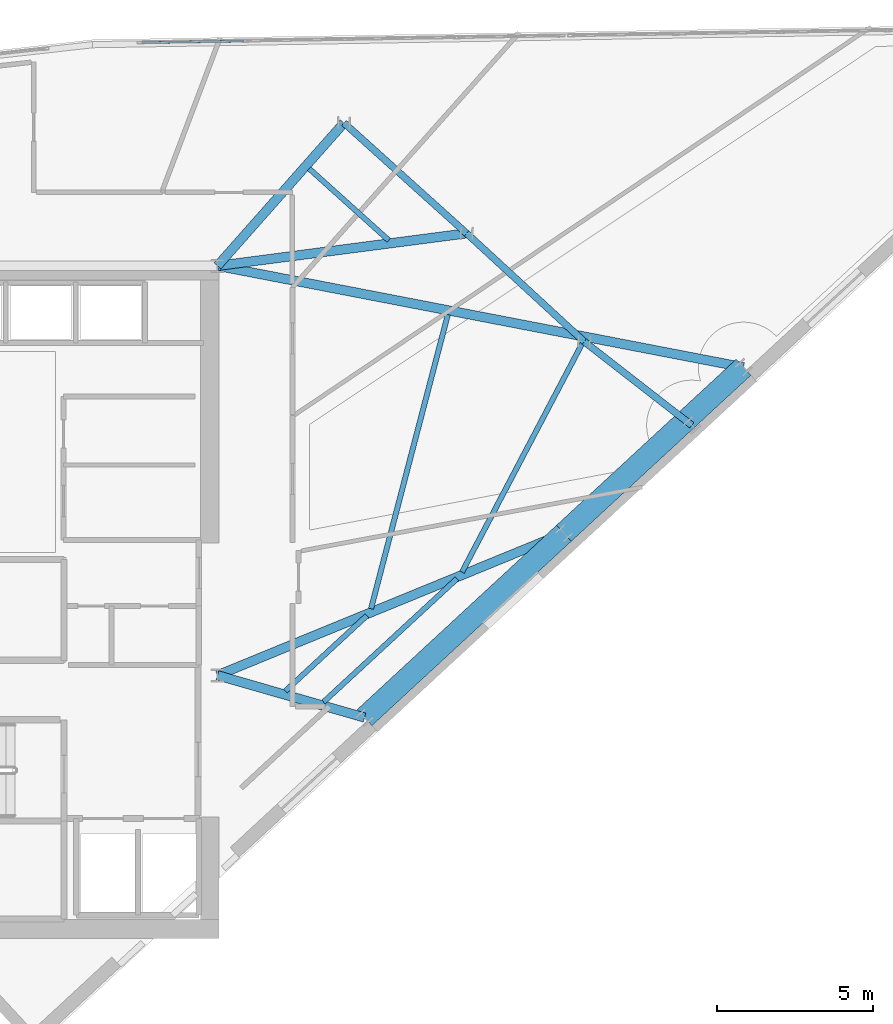
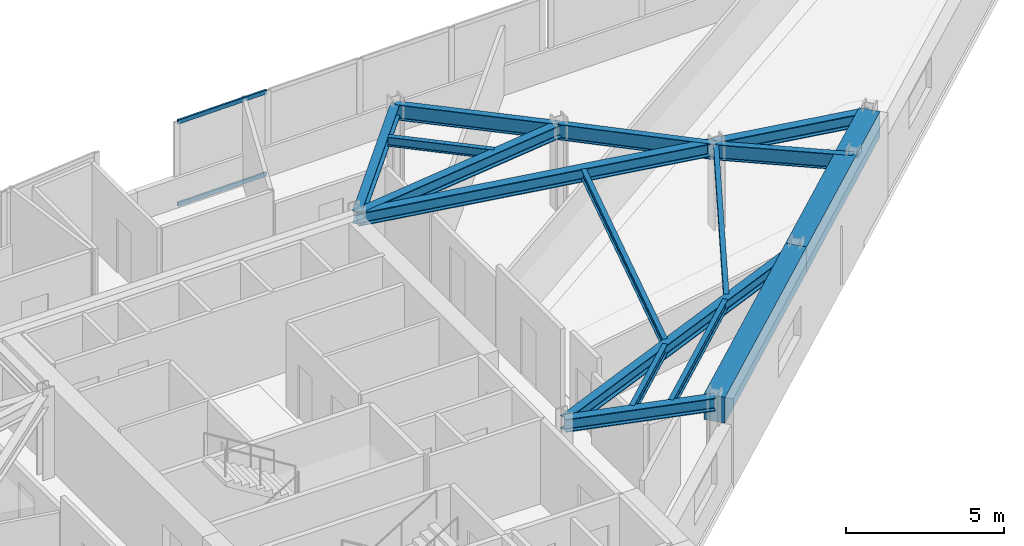
# One storey, part 5 of 14: 15 beams, 2 members, 1 element without a shape of its own.
"""IFC4 building model written with IfcOpenShell, lengths in metres."""

import ifcopenshell
import ifcopenshell.guid

model = None  # the IFC model being written
_history = None  # IfcOwnerHistory: only IFC2X3 demands one
_inside = {}  # id of a spatial element -> (the spatial element, [elements in it])
_under = {}  # id of a project, library or spatial element -> (it, [spatial elements below it])
_declared = {}  # id of a project -> (the project, [libraries it declares])
_typed = {}  # id of a type object -> (the type object, [elements of that type])
_made_of = {}  # id of a material, layer set ... -> (it, [elements and type objects made of it])


def new_model(schema):
    """Start an empty IFC model of exactly this schema.

    Asked for "IFC4X3", IfcOpenShell would pick the latest addendum, in which some entities
    have other attributes; the version numbers below select the first issue.
    IFC2X3 requires an IfcOwnerHistory on every rooted entity: one is made here for all.
    """
    global model, _history
    if schema == "IFC4X3":
        model = ifcopenshell.file(schema_version=(4, 3, 0, 0))
    else:
        model = ifcopenshell.file(schema=schema)
    _inside.clear()
    _under.clear()
    _declared.clear()
    _typed.clear()
    _made_of.clear()
    _history = None
    if model.schema == "IFC2X3":
        org = make("IfcOrganization", Name="unknown")
        user = make(
            "IfcPersonAndOrganization",
            ThePerson=make("IfcPerson", FamilyName="unknown"),
            TheOrganization=org,
        )
        app = make(
            "IfcApplication",
            ApplicationDeveloper=org,
            Version="unknown",
            ApplicationFullName="unknown",
            ApplicationIdentifier="unknown",
        )
        _history = make(
            "IfcOwnerHistory",
            OwningUser=user,
            OwningApplication=app,
            ChangeAction="ADDED",
            CreationDate=0,
        )
    return model


def make(cls, **values):
    """One entity of the class cls with the attributes given. An attribute that is None is left unset."""
    return model.create_entity(
        cls, **{name: value for name, value in values.items() if value is not None}
    )


def rooted(cls, **values):
    """An entity with a GlobalId (a new one), such as an element, a storey or a relation."""
    return make(cls, GlobalId=ifcopenshell.guid.new(), OwnerHistory=_history, **values)


def si_unit(unit_type, name, prefix=None):
    """IfcSIUnit, for example si_unit("LENGTHUNIT", "METRE", prefix="MILLI")."""
    return make("IfcSIUnit", UnitType=unit_type, Prefix=prefix, Name=name)


def assignment(units):
    """IfcUnitAssignment: the units of a project."""
    return None if units is None else make("IfcUnitAssignment", Units=units)


def point(xyz):
    """IfcCartesianPoint."""
    return None if xyz is None else make("IfcCartesianPoint", Coordinates=xyz)


def direction(xyz):
    """IfcDirection."""
    return None if xyz is None else make("IfcDirection", DirectionRatios=xyz)


def frame(location, z_axis=None, x_axis=None):
    """IfcAxis2Placement3D, a coordinate frame: its origin and axes. An axis left out is left unset."""
    return make(
        "IfcAxis2Placement3D",
        Location=point(location),
        Axis=direction(z_axis),
        RefDirection=direction(x_axis),
    )


def frame_2d(location, x_axis=None):
    """IfcAxis2Placement2D, a coordinate frame in the plane: its origin and x axis."""
    return make(
        "IfcAxis2Placement2D", Location=point(location), RefDirection=direction(x_axis)
    )


def origin():
    """The frame at (0, 0, 0) with its axes left unset."""
    return frame((0.0, 0.0, 0.0))


def origin_2d():
    """The frame at (0, 0) in the plane with its x axis left unset."""
    return frame_2d((0.0, 0.0))


def place(relative_to, where):
    """IfcLocalPlacement: puts the frame where relative to a parent placement (None: the world)."""
    return make(
        "IfcLocalPlacement", PlacementRelTo=relative_to, RelativePlacement=where
    )


def context(
    kind, dimensions, precision=None, world=None, true_north=None, identifier=None
):
    """IfcGeometricRepresentationContext, for example the 3D "Model" context."""
    return make(
        "IfcGeometricRepresentationContext",
        ContextIdentifier=identifier,
        ContextType=kind,
        CoordinateSpaceDimension=dimensions,
        Precision=precision,
        WorldCoordinateSystem=world,
        TrueNorth=true_north,
    )


def subcontext(parent, identifier, kind, view, scale=None):
    """IfcGeometricRepresentationSubContext, for example "Body" below "Model"."""
    return make(
        "IfcGeometricRepresentationSubContext",
        ContextIdentifier=identifier,
        ContextType=kind,
        ParentContext=parent,
        TargetScale=scale,
        TargetView=view,
    )


def project(units=None, contexts=None):
    """IfcProject with its units and contexts."""
    return rooted(
        "IfcProject",
        Name="project",
        RepresentationContexts=contexts,
        UnitsInContext=assignment(units),
    )


def spatial(cls, under=None, at=None, **own):
    """A site, building, storey or space (cls), placed at a placement, below another one or the project."""
    s = rooted(cls, ObjectPlacement=at, **own)
    if under is not None:
        _under.setdefault(under.id(), (under, []))[1].append(s)
    return s


def profile(cls, at=None, kind="AREA", **sizes):
    """A parametric profile (cls). Its sizes go by their IFC names, for example OverallWidth=200.0."""
    return make(cls, ProfileType=kind, Position=at, **sizes)


def rectangle(**sizes):
    """IfcRectangleProfileDef."""
    return profile("IfcRectangleProfileDef", **sizes)


def hollow_rectangle(**sizes):
    """IfcRectangleHollowProfileDef."""
    return profile("IfcRectangleHollowProfileDef", **sizes)


def i_section(**sizes):
    """IfcIShapeProfileDef."""
    return profile("IfcIShapeProfileDef", **sizes)


def extrude(swept, where, along, depth):
    """IfcExtrudedAreaSolid: the profile swept, set in the frame where, extruded along a direction by depth."""
    return make(
        "IfcExtrudedAreaSolid",
        SweptArea=swept,
        Position=where,
        ExtrudedDirection=direction(along),
        Depth=depth,
    )


def shape(context_of_items, identifier, shape_type, items):
    """IfcShapeRepresentation: the items that make up one representation, for example the "Body"."""
    return make(
        "IfcShapeRepresentation",
        ContextOfItems=context_of_items,
        RepresentationIdentifier=identifier,
        RepresentationType=shape_type,
        Items=items,
    )


def material(Name=None, Category=None):
    """IfcMaterial."""
    return make("IfcMaterial", Name=Name, Category=Category)


def material_profile(
    of_material, cross_section, Name=None, Category=None, Priority=None
):
    """IfcMaterialProfile: a cross section and its material."""
    return make(
        "IfcMaterialProfile",
        Name=Name,
        Material=of_material,
        Profile=cross_section,
        Priority=Priority,
        Category=Category,
    )


def profile_set(profiles, Name=None, composite=None):
    """IfcMaterialProfileSet."""
    return make(
        "IfcMaterialProfileSet",
        Name=Name,
        MaterialProfiles=profiles,
        CompositeProfile=composite,
    )


def made_of(thing, what):
    """Note that an element or type object is made of a material, layer set ...; save() writes the relation."""
    if what is not None:
        _made_of.setdefault(what.id(), (what, []))[1].append(thing)
    return thing


def type_object(cls, material=None, **own):
    """A type object (cls), such as IfcWallType, which elements share."""
    return made_of(rooted(cls, **own), material)


def element(
    cls,
    number,
    at=None,
    inside=None,
    cuts=None,
    type_object=None,
    material=None,
    context=None,
    identifier="Body",
    shape_type=None,
    held_by="IfcProductDefinitionShape",
    body=None,
    shapes=None,
    **own,
):
    """One element of the class cls, such as IfcWall. Its Tag is "e" and its number.

    at: its placement. inside: the storey or other place that contains it. cuts: it is an
    opening in that element (IfcRelVoidsElement). A single representation is given by context,
    identifier, shape_type and body (its items); several are given by shapes. held_by: the class
    of the entity that holds the representations. save() writes the other relations.
    """
    e = rooted(cls, Tag="e%d" % number, ObjectPlacement=at, **own)
    if body is not None:
        shapes = [shape(context, identifier, shape_type, body)]
    if shapes is not None:
        e.Representation = make(held_by, Representations=shapes)
    if inside is not None:
        _inside.setdefault(inside.id(), (inside, []))[1].append(e)
    if cuts is not None:
        rooted(
            "IfcRelVoidsElement", RelatingBuildingElement=cuts, RelatedOpeningElement=e
        )
    if type_object is not None:
        _typed.setdefault(type_object.id(), (type_object, []))[1].append(e)
    return made_of(e, material)


def aggregate(whole, parts):
    """IfcRelAggregates: a whole, such as a stair, and the parts it consists of."""
    return rooted("IfcRelAggregates", RelatingObject=whole, RelatedObjects=parts)


def save(model, path):
    """Write the relations noted so far, then the file.

    IfcRelAggregates (storeys below a building ...), IfcRelContainedInSpatialStructure (elements
    in a storey), IfcRelDefinesByType, IfcRelAssociatesMaterial and IfcRelDeclares: one each for
    every whole, place, type object, material and project.
    """
    for whole, parts in _under.values():
        aggregate(whole, parts)
    for where, things in _inside.values():
        rooted(
            "IfcRelContainedInSpatialStructure",
            RelatedElements=things,
            RelatingStructure=where,
        )
    for kind, things in _typed.values():
        rooted("IfcRelDefinesByType", RelatedObjects=things, RelatingType=kind)
    for what, things in _made_of.values():
        rooted("IfcRelAssociatesMaterial", RelatedObjects=things, RelatingMaterial=what)
    for by, libraries in _declared.values():
        rooted("IfcRelDeclares", RelatingContext=by, RelatedDefinitions=libraries)
    model.write(path)


model = new_model("IFC4")

# Units and contexts
model_context = context("Model", 3, precision=1e-05, world=origin(), true_north=direction((0.0, 1.0)))
body_context = subcontext(model_context, "Body", "Model", "MODEL_VIEW")
ifc_project = project(units=[si_unit("LENGTHUNIT", "METRE"), si_unit("AREAUNIT", "SQUARE_METRE"), si_unit("VOLUMEUNIT", "CUBIC_METRE"), si_unit("PLANEANGLEUNIT", "RADIAN"), si_unit("MASSUNIT", "GRAM", prefix="KILO")], contexts=[model_context])

# Site, building, storey
site_placement = place(None, origin())
site = spatial("IfcSite", under=ifc_project, at=site_placement, CompositionType="ELEMENT")
building_placement = place(site_placement, origin())
building = spatial("IfcBuilding", under=site, at=building_placement, Name="Narakoshi Arena Tower", CompositionType="ELEMENT")
storey_placement = place(building_placement, frame((0.0, 0.0, 288.89990234375)))
storey = spatial("IfcBuildingStorey", under=building, at=storey_placement, Name="L79", CompositionType="ELEMENT", Elevation=288.89990234375)

# Beams
ifc_material_1 = material(Name="Concrete C60/75", Category="concrete")
ifc_material_profile_1 = material_profile(ifc_material_1, rectangle(XDim=0.699951171875, YDim=1.0, at=origin_2d()), Name="RCB700x1000")
ifc_profile_set_1 = profile_set([ifc_material_profile_1], Name="Concrete C60/75")
beam_type_1 = type_object("IfcBeamType", Name="BM-CPL-1000", PredefinedType="BEAM", material=ifc_profile_set_1)
beam_1_placement = place(storey_placement, frame((90.2734375, 41.992919921875, 2.760009765625), z_axis=(0.734326819586, 0.678796082809, 0.0), x_axis=(-0.678796082809, 0.734326819586, 0.0)))
element("IfcBeam", 1, at=beam_1_placement, inside=storey, type_object=beam_type_1, Name="L79 Perimeter Edge Girder 01", PredefinedType="BEAM", context=body_context, shape_type="SweptSolid", body=[
    extrude(rectangle(XDim=0.699951171875, YDim=1.0, at=origin_2d()), origin(), (0.0, 0.0, 1.0), 8.72265625),
])
beam_2_placement = place(storey_placement, frame((96.6787109375, 47.913818359375, 2.760009765625), z_axis=(0.734333489286, 0.678788867405, 0.0), x_axis=(-0.678788867405, 0.734333489286, 0.0)))
element("IfcBeam", 2, at=beam_2_placement, inside=storey, type_object=beam_type_1, Name="L79 Perimeter Edge Girder 02", PredefinedType="BEAM", context=body_context, shape_type="SweptSolid", body=[
    extrude(rectangle(XDim=0.699951171875, YDim=1.0, at=origin_2d()), origin(), (0.0, 0.0, 1.0), 7.85009765625),
])
ifc_material_2 = material(Name="Structural steel S355J2", Category="steel")
ifc_material_profile_2 = material_profile(ifc_material_2, i_section(OverallWidth=0.219970703125, OverallDepth=0.60009765625, WebThickness=0.011962890625, FlangeThickness=0.01904296875, FilletRadius=0.02392578125, at=origin_2d()), Name="IPE600")
ifc_profile_set_2 = profile_set([ifc_material_profile_2], Name="Structural steel S355J2")
beam_type_2 = type_object("IfcBeamType", Name="BM-EDGE-600", PredefinedType="BEAM", material=ifc_profile_set_2)
beam_3_placement = place(storey_placement, frame((100.78173828125, 51.379638671875, 2.960205078125), z_axis=(-0.789307135535, 0.613998571491, 0.0), x_axis=(-0.613998571491, -0.789307135535, 0.0)))
element("IfcBeam", 3, at=beam_3_placement, inside=storey, type_object=beam_type_2, Name="L79 Perimeter Edge Girder 04", PredefinedType="BEAM", context=body_context, shape_type="SweptSolid", body=[
    extrude(i_section(OverallWidth=0.219970703125, OverallDepth=0.60009765625, WebThickness=0.011962890625, FlangeThickness=0.01904296875, FilletRadius=0.02392578125, at=origin_2d()), origin(), (0.0, 0.0, 1.0), 4.374267578125),
])
beam_4_placement = place(storey_placement, frame((97.3291015625, 54.0654296875, 2.960205078125), z_axis=(-0.735759504933, 0.677242903914, 0.0), x_axis=(-0.677242903914, -0.735759504933, 0.0)))
element("IfcBeam", 4, at=beam_4_placement, inside=storey, type_object=beam_type_2, Name="L79 Perimeter Edge Girder 05", PredefinedType="BEAM", context=body_context, shape_type="SweptSolid", body=[
    extrude(i_section(OverallWidth=0.219970703125, OverallDepth=0.60009765625, WebThickness=0.011962890625, FlangeThickness=0.01904296875, FilletRadius=0.02392578125, at=origin_2d()), origin(), (0.0, 0.0, 1.0), 5.135986328125),
])
beam_5_placement = place(storey_placement, frame((93.55029296875, 57.543701171875, 2.960205078125), z_axis=(-0.743147547665, 0.66912758305, 0.0), x_axis=(-0.66912758305, -0.743147547665, 0.0)))
element("IfcBeam", 5, at=beam_5_placement, inside=storey, type_object=beam_type_2, Name="L79 Perimeter Edge Girder 06", PredefinedType="BEAM", context=body_context, shape_type="SweptSolid", body=[
    extrude(i_section(OverallWidth=0.219970703125, OverallDepth=0.60009765625, WebThickness=0.011962890625, FlangeThickness=0.01904296875, FilletRadius=0.02392578125, at=origin_2d()), origin(), (0.0, 0.0, 1.0), 5.30029296875),
])
ifc_material_profile_3 = material_profile(ifc_material_2, i_section(OverallWidth=0.300048828125, OverallDepth=0.5, WebThickness=0.014404296875, FlangeThickness=0.028076171875, FilletRadius=0.027099609375, at=origin_2d()), Name="HE500B")
ifc_profile_set_3 = profile_set([ifc_material_profile_3], Name="Structural steel S355J2")
beam_type_3 = type_object("IfcBeamType", Name="BM-PRI-500", PredefinedType="BEAM", material=ifc_profile_set_3)
beam_6_placement = place(storey_placement, frame((85.550048828125, 43.35009765625, 3.010009765625), z_axis=(0.961112330887, -0.276157721993, 0.0), x_axis=(0.276157721993, 0.961112330887, 0.0)))
element("IfcBeam", 6, at=beam_6_placement, inside=storey, type_object=beam_type_3, Name="L79 Radial Primary Floor Girder 01", PredefinedType="BEAM", context=body_context, shape_type="SweptSolid", body=[
    extrude(i_section(OverallWidth=0.300048828125, OverallDepth=0.5, WebThickness=0.014404296875, FlangeThickness=0.028076171875, FilletRadius=0.027099609375, at=origin_2d()), origin(), (0.0, 0.0, 1.0), 4.91455078125),
])
beam_7_placement = place(storey_placement, frame((85.550048828125, 43.35009765625, 3.010009765625), z_axis=(0.925223618811, 0.379422265021, 0.0), x_axis=(-0.379422265021, 0.925223618811, 0.0)))
element("IfcBeam", 7, at=beam_7_placement, inside=storey, type_object=beam_type_3, Name="L79 Radial Primary Floor Girder 02", PredefinedType="BEAM", context=body_context, shape_type="SweptSolid", body=[
    extrude(i_section(OverallWidth=0.300048828125, OverallDepth=0.5, WebThickness=0.014404296875, FlangeThickness=0.028076171875, FilletRadius=0.027099609375, at=origin_2d()), origin(), (0.0, 0.0, 1.0), 12.028076171875),
])
beam_8_placement = place(storey_placement, frame((85.550048828125, 56.5, 3.010009765625), z_axis=(0.98191087483, -0.189343692505, 0.0), x_axis=(0.189343692505, 0.98191087483, 0.0)))
element("IfcBeam", 8, at=beam_8_placement, inside=storey, type_object=beam_type_3, Name="L79 Radial Primary Floor Girder 03", PredefinedType="BEAM", context=body_context, shape_type="SweptSolid", body=[
    extrude(i_section(OverallWidth=0.300048828125, OverallDepth=0.5, WebThickness=0.014404296875, FlangeThickness=0.028076171875, FilletRadius=0.027099609375, at=origin_2d()), origin(), (0.0, 0.0, 1.0), 17.20458984375),
])
beam_9_placement = place(storey_placement, frame((85.550048828125, 56.5, 3.010009765625), z_axis=(0.991597373641, 0.129362469783, 0.0), x_axis=(-0.129362469783, 0.991597373641, 0.0)))
element("IfcBeam", 9, at=beam_9_placement, inside=storey, type_object=beam_type_3, Name="L79 Radial Primary Floor Girder 06", PredefinedType="BEAM", context=body_context, shape_type="SweptSolid", body=[
    extrude(i_section(OverallWidth=0.300048828125, OverallDepth=0.5, WebThickness=0.014404296875, FlangeThickness=0.028076171875, FilletRadius=0.027099609375, at=origin_2d()), origin(), (0.0, 0.0, 1.0), 8.068115234375),
])
beam_10_placement = place(storey_placement, frame((85.550048828125, 56.5, 3.010009765625), z_axis=(0.662628886894, 0.748947900894, 0.0), x_axis=(-0.748947900894, 0.662628886894, 0.0)))
element("IfcBeam", 10, at=beam_10_placement, inside=storey, type_object=beam_type_3, Name="L79 Radial Primary Floor Girder 07", PredefinedType="BEAM", context=body_context, shape_type="SweptSolid", body=[
    extrude(i_section(OverallWidth=0.300048828125, OverallDepth=0.5, WebThickness=0.014404296875, FlangeThickness=0.028076171875, FilletRadius=0.027099609375, at=origin_2d()), origin(), (0.0, 0.0, 1.0), 6.129150390625),
])
ifc_material_profile_4 = material_profile(ifc_material_2, i_section(OverallWidth=0.169921875, OverallDepth=0.360107421875, WebThickness=0.008056640625, FlangeThickness=0.0126953125, FilletRadius=0.01806640625, at=origin_2d()), Name="IPE360")
ifc_profile_set_4 = profile_set([ifc_material_profile_4], Name="Structural steel S355J2")
beam_type_4 = type_object("IfcBeamType", Name="BM-SEC-360", PredefinedType="JOIST", material=ifc_profile_set_4)
beam_11_placement = place(storey_placement, frame((87.7275390625, 42.844482421875, 3.080078125), z_axis=(0.734310037917, 0.678814236897, 0.0), x_axis=(-0.678814236897, 0.734310037917, 0.0)))
element("IfcBeam", 11, at=beam_11_placement, inside=storey, type_object=beam_type_4, Name="L79 Composite Secondary Floor Joist 01", PredefinedType="JOIST", context=body_context, shape_type="SweptSolid", body=[
    extrude(i_section(OverallWidth=0.169921875, OverallDepth=0.360107421875, WebThickness=0.008056640625, FlangeThickness=0.0126953125, FilletRadius=0.01806640625, at=origin_2d()), origin(), (0.0, 0.0, 1.0), 3.56787109375),
])
beam_12_placement = place(storey_placement, frame((88.95556640625, 42.49169921875, 3.080078125), z_axis=(0.734339740284, 0.678782104832, 0.0), x_axis=(-0.678782104832, 0.734339740284, 0.0)))
element("IfcBeam", 12, at=beam_12_placement, inside=storey, type_object=beam_type_4, Name="L79 Composite Secondary Floor Joist 02", PredefinedType="JOIST", context=body_context, shape_type="SweptSolid", body=[
    extrude(i_section(OverallWidth=0.169921875, OverallDepth=0.360107421875, WebThickness=0.008056640625, FlangeThickness=0.0126953125, FilletRadius=0.01806640625, at=origin_2d()), origin(), (0.0, 0.0, 1.0), 5.835693359375),
])
beam_13_placement = place(storey_placement, frame((90.480712890625, 45.48876953125, 3.080078125), z_axis=(0.252782191018, 0.967523211042, 0.0), x_axis=(-0.967523211042, 0.252782191018, 0.0)))
element("IfcBeam", 13, at=beam_13_placement, inside=storey, type_object=beam_type_4, Name="L79 Composite Secondary Floor Joist 03", PredefinedType="JOIST", context=body_context, shape_type="SweptSolid", body=[
    extrude(i_section(OverallWidth=0.169921875, OverallDepth=0.360107421875, WebThickness=0.008056640625, FlangeThickness=0.0126953125, FilletRadius=0.01806640625, at=origin_2d()), origin(), (0.0, 0.0, 1.0), 9.764404296875),
])
beam_14_placement = place(storey_placement, frame((93.40283203125, 46.664306640625, 3.080078125), z_axis=(0.465370309963, 0.885116079734, 0.0), x_axis=(-0.885116079734, 0.465370309963, 0.0)))
element("IfcBeam", 14, at=beam_14_placement, inside=storey, type_object=beam_type_4, Name="L79 Composite Secondary Floor Joist 04", PredefinedType="JOIST", context=body_context, shape_type="SweptSolid", body=[
    extrude(i_section(OverallWidth=0.169921875, OverallDepth=0.360107421875, WebThickness=0.008056640625, FlangeThickness=0.0126953125, FilletRadius=0.01806640625, at=origin_2d()), origin(), (0.0, 0.0, 1.0), 8.401123046875),
])
beam_15_placement = place(storey_placement, frame((91.050048828125, 57.32080078125, 3.080078125), z_axis=(-0.743145924769, 0.66912938547, 0.0), x_axis=(-0.66912938547, -0.743145924769, 0.0)))
element("IfcBeam", 15, at=beam_15_placement, inside=storey, type_object=beam_type_4, Name="L79 Composite Secondary Floor Joist 05", PredefinedType="JOIST", context=body_context, shape_type="SweptSolid", body=[
    extrude(i_section(OverallWidth=0.169921875, OverallDepth=0.360107421875, WebThickness=0.008056640625, FlangeThickness=0.0126953125, FilletRadius=0.01806640625, at=origin_2d()), origin(), (0.0, 0.0, 1.0), 3.440185546875),
])

# Curtain wall, members
ifc_material_3 = material(Name="Clear low-iron laminated structural glass", Category="glass")
curtain_wall_type = type_object("IfcCurtainWallType", Name="CW-OBS-TMD", PredefinedType="NOTDEFINED", material=ifc_material_3)
curtain_wall_placement = place(storey_placement, origin())
curtain_wall = element("IfcCurtainWall", 16, at=curtain_wall_placement, inside=storey, type_object=curtain_wall_type, Name="L79 Folded Hypotenuse Curtain Wall 1-2", PredefinedType="NOTDEFINED")
ifc_material_4 = material(Name="Anodised bronze aluminium 6063-T6", Category="aluminium")
ifc_material_profile_5 = material_profile(ifc_material_4, hollow_rectangle(XDim=0.070068359375, YDim=0.159912109375, WallThickness=0.00390625, OuterFilletRadius=0.0048828125, at=origin_2d()), Name="TRN160x70x4")
ifc_profile_set_5 = profile_set([ifc_material_profile_5], Name="Anodised bronze aluminium 6063-T6")
member_type = type_object("IfcMemberType", Name="MEM-TRN-160", PredefinedType="USERDEFINED", material=ifc_profile_set_5)
member_1_placement = place(storey_placement, frame((86.39794921875, 63.72265625, 0.03515625), z_axis=(-0.999864511512, -0.016460820698, 0.0), x_axis=(0.016460820698, -0.999864511512, 0.0)))
member_1 = element("IfcMember", 17, at=member_1_placement, type_object=member_type, Name="CW-05 transom 4.1", ObjectType="TRANSOM", PredefinedType="USERDEFINED", context=body_context, shape_type="SweptSolid", body=[
    extrude(hollow_rectangle(XDim=0.070068359375, YDim=0.159912109375, WallThickness=0.00390625, OuterFilletRadius=0.0048828125, at=origin_2d()), origin(), (0.0, 0.0, 1.0), 3.27783203125),
])
member_2_placement = place(storey_placement, frame((86.39794921875, 63.72265625, 3.22509765625), z_axis=(-0.999864511512, -0.016460820698, 0.0), x_axis=(0.016460820698, -0.999864511512, 0.0)))
member_2 = element("IfcMember", 18, at=member_2_placement, type_object=member_type, Name="CW-05 transom 4.2", ObjectType="TRANSOM", PredefinedType="USERDEFINED", context=body_context, shape_type="SweptSolid", body=[
    extrude(hollow_rectangle(XDim=0.070068359375, YDim=0.159912109375, WallThickness=0.00390625, OuterFilletRadius=0.0048828125, at=origin_2d()), origin(), (0.0, 0.0, 1.0), 3.27783203125),
])
aggregate(curtain_wall, [member_1, member_2])

save(model, "model.ifc")
